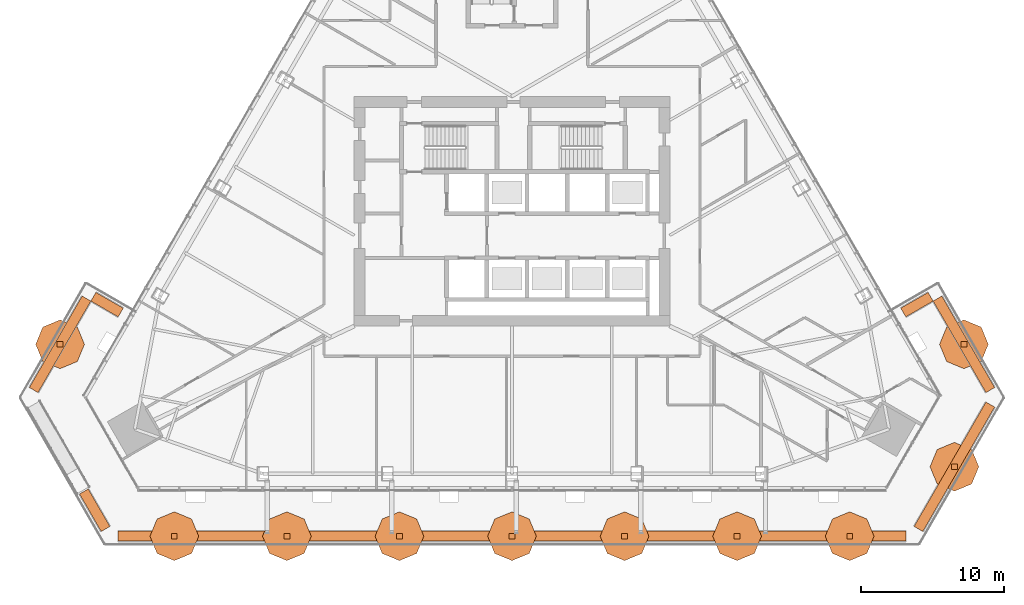
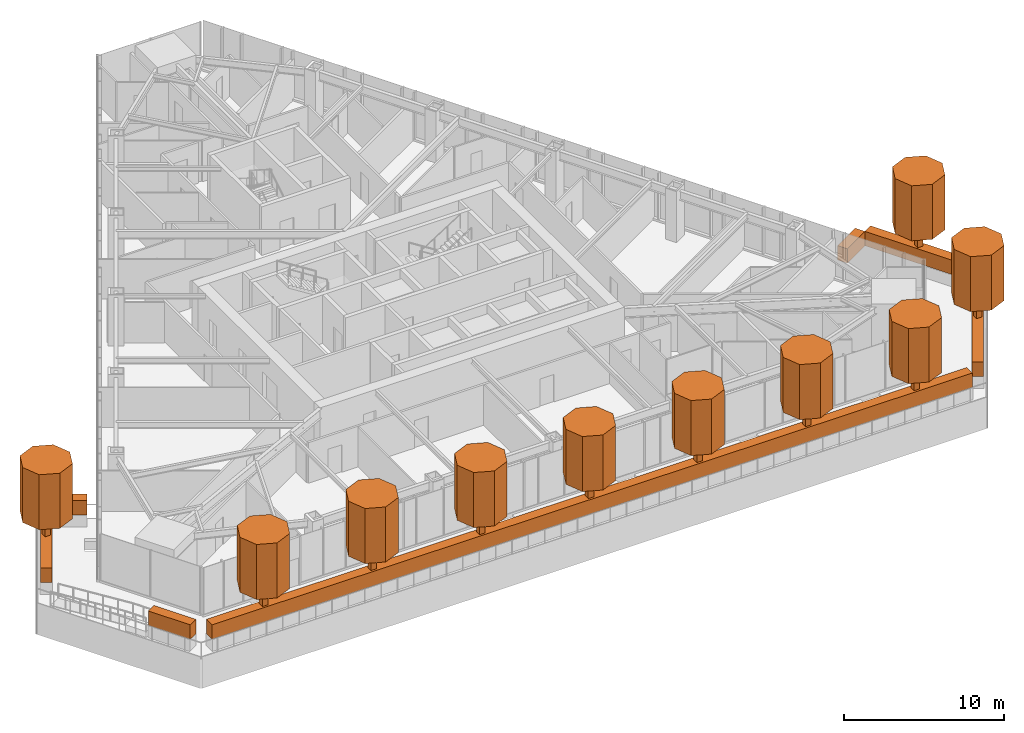
# One storey, part 24 of 24: 27 geographic elements.
"""IFC4 building model written with IfcOpenShell, lengths in metres."""

from ifc_helpers import new_model, si_unit, direction, frame, origin, origin_2d, place, context, subcontext, project, spatial, polyline, rectangle, outline, extrude, material, type_object, element, save


model = new_model("IFC4")

# Units and contexts
model_context = context("Model", 3, precision=1e-05, world=origin(), true_north=direction((0.0, 1.0)))
body_context = subcontext(model_context, "Body", "Model", "MODEL_VIEW")
ifc_project = project(units=[si_unit("LENGTHUNIT", "METRE"), si_unit("AREAUNIT", "SQUARE_METRE"), si_unit("VOLUMEUNIT", "CUBIC_METRE"), si_unit("PLANEANGLEUNIT", "RADIAN"), si_unit("MASSUNIT", "GRAM", prefix="KILO")], contexts=[model_context])

# Site, building, storey
site_placement = place(None, origin())
site = spatial("IfcSite", under=ifc_project, at=site_placement, CompositionType="ELEMENT")
building_placement = place(site_placement, origin())
building = spatial("IfcBuilding", under=site, at=building_placement, Name="Firuza Gate Tower and Library", CompositionType="ELEMENT")
storey_placement = place(building_placement, frame((0.0, 0.0, 194.800048828125)))
storey = spatial("IfcBuildingStorey", under=building, at=storey_placement, Name="L45", CompositionType="ELEMENT", Elevation=194.800048828125)

# Geographic elements
ifc_material_1 = material(Name="Foliage")
geographic_element_type_1 = type_object("IfcGeographicElementType", Name="Planted hedge", PredefinedType="USERDEFINED", material=ifc_material_1)
geographic_element_1_placement = place(storey_placement, frame((46.763671875, 68.49560546875, 0.89990234375), z_axis=(0.0, 0.0, 1.0), x_axis=(-0.866025403784, 0.5, 0.0)))
element("IfcGeographicElement", 1, at=geographic_element_1_placement, inside=storey, type_object=geographic_element_type_1, Name="Planted hedge", ObjectType="HEDGE", PredefinedType="USERDEFINED", context=body_context, shape_type="SweptSolid", body=[
    extrude(rectangle(XDim=2.199951171875, YDim=0.699951171875, at=origin_2d()), origin(), (0.0, 0.0, 1.0), 1.10009765625),
])
geographic_element_2_placement = place(storey_placement, frame((43.491455078125, 65.72802734375, 0.89990234375), z_axis=(0.0, 0.0, 1.0), x_axis=(-0.5, -0.866025403784, 0.0)))
element("IfcGeographicElement", 2, at=geographic_element_2_placement, inside=storey, type_object=geographic_element_type_1, Name="Planted hedge", ObjectType="HEDGE", PredefinedType="USERDEFINED", context=body_context, shape_type="SweptSolid", body=[
    extrude(rectangle(XDim=7.36572265625, YDim=0.699951171875, at=origin_2d()), origin(), (0.0, 0.0, 1.0), 1.10009765625),
])
geographic_element_3_placement = place(storey_placement, frame((45.90478515625, 54.160400390625, 0.89990234375), z_axis=(0.0, 0.0, 1.0), x_axis=(0.5, -0.866025403784, 0.0)))
element("IfcGeographicElement", 3, at=geographic_element_3_placement, inside=storey, type_object=geographic_element_type_1, Name="Planted hedge", ObjectType="HEDGE", PredefinedType="USERDEFINED", context=body_context, shape_type="SweptSolid", body=[
    extrude(rectangle(XDim=3.018798828125, YDim=0.699951171875, at=origin_2d()), origin(), (0.0, 0.0, 1.0), 1.10009765625),
])
placement_1 = place(storey_placement, frame((75.0, 52.348876953125, 0.89990234375), z_axis=(0.0, 0.0, 1.0), x_axis=(1.0, 0.0, 0.0)))
element("IfcGeographicElement", 4, at=placement_1, inside=storey, type_object=geographic_element_type_1, Name="Planted hedge", ObjectType="HEDGE", PredefinedType="USERDEFINED", context=body_context, shape_type="SweptSolid", body=[
    extrude(rectangle(XDim=54.93359375, YDim=0.699951171875, at=origin_2d()), origin(), (0.0, 0.0, 1.0), 1.10009765625),
])
geographic_element_5_placement = place(storey_placement, frame((105.84521484375, 57.191650390625, 0.89990234375), z_axis=(0.0, 0.0, 1.0), x_axis=(0.5, 0.866025403784, 0.0)))
element("IfcGeographicElement", 5, at=geographic_element_5_placement, inside=storey, type_object=geographic_element_type_1, Name="Planted hedge", ObjectType="HEDGE", PredefinedType="USERDEFINED", context=body_context, shape_type="SweptSolid", body=[
    extrude(rectangle(XDim=10.018798828125, YDim=0.699951171875, at=origin_2d()), origin(), (0.0, 0.0, 1.0), 1.10009765625),
])
geographic_element_6_placement = place(storey_placement, frame((106.508544921875, 65.72802734375, 0.89990234375), z_axis=(0.0, 0.0, 1.0), x_axis=(-0.5, 0.866025403784, 0.0)))
element("IfcGeographicElement", 6, at=geographic_element_6_placement, inside=storey, type_object=geographic_element_type_1, Name="Planted hedge", ObjectType="HEDGE", PredefinedType="USERDEFINED", context=body_context, shape_type="SweptSolid", body=[
    extrude(rectangle(XDim=7.36572265625, YDim=0.699951171875, at=origin_2d()), origin(), (0.0, 0.0, 1.0), 1.10009765625),
])
geographic_element_7_placement = place(storey_placement, frame((103.236328125, 68.49560546875, 0.89990234375), z_axis=(0.0, 0.0, 1.0), x_axis=(-0.866025403784, -0.5, 0.0)))
element("IfcGeographicElement", 7, at=geographic_element_7_placement, inside=storey, type_object=geographic_element_type_1, Name="Planted hedge", ObjectType="HEDGE", PredefinedType="USERDEFINED", context=body_context, shape_type="SweptSolid", body=[
    extrude(rectangle(XDim=2.199951171875, YDim=0.699951171875, at=origin_2d()), origin(), (0.0, 0.0, 1.0), 1.10009765625),
])
ifc_material_2 = material(Name="Foliage")
geographic_element_type_2 = type_object("IfcGeographicElementType", Name="Planted tree canopy", PredefinedType="USERDEFINED", material=ifc_material_2)
placement_2 = place(storey_placement, frame((0.0, 0.0, 3.5)))
element("IfcGeographicElement", 8, at=placement_2, inside=storey, type_object=geographic_element_type_2, Name="Tree canopy", ObjectType="TREE CANOPY", PredefinedType="USERDEFINED", context=body_context, shape_type="SweptSolid", body=[
    extrude(outline(polyline([(45.191650390625, 65.72802734375), (44.693603515625, 66.93017578125), (43.491455078125, 67.427978515625), (42.28955078125, 66.93017578125), (41.79150390625, 65.72802734375), (42.28955078125, 64.52587890625), (43.491455078125, 64.028076171875), (44.693603515625, 64.52587890625), (45.191650390625, 65.72802734375)])), origin(), (0.0, 0.0, 1.0), 4.199951171875),
])
element("IfcGeographicElement", 9, at=placement_2, inside=storey, type_object=geographic_element_type_2, Name="Tree canopy", ObjectType="TREE CANOPY", PredefinedType="USERDEFINED", context=body_context, shape_type="SweptSolid", body=[
    extrude(outline(polyline([(53.156982421875, 52.348876953125), (52.6591796875, 53.551025390625), (51.45703125, 54.048828125), (50.2548828125, 53.551025390625), (49.757080078125, 52.348876953125), (50.2548828125, 51.146728515625), (51.45703125, 50.64892578125), (52.6591796875, 51.146728515625), (53.156982421875, 52.348876953125)])), origin(), (0.0, 0.0, 1.0), 4.199951171875),
])
element("IfcGeographicElement", 10, at=placement_2, inside=storey, type_object=geographic_element_type_2, Name="Tree canopy", ObjectType="TREE CANOPY", PredefinedType="USERDEFINED", context=body_context, shape_type="SweptSolid", body=[
    extrude(outline(polyline([(61.004638671875, 52.348876953125), (60.5068359375, 53.551025390625), (59.3046875, 54.048828125), (58.1025390625, 53.551025390625), (57.604736328125, 52.348876953125), (58.1025390625, 51.146728515625), (59.3046875, 50.64892578125), (60.5068359375, 51.146728515625), (61.004638671875, 52.348876953125)])), origin(), (0.0, 0.0, 1.0), 4.199951171875),
])
element("IfcGeographicElement", 11, at=placement_2, inside=storey, type_object=geographic_element_type_2, Name="Tree canopy", ObjectType="TREE CANOPY", PredefinedType="USERDEFINED", context=body_context, shape_type="SweptSolid", body=[
    extrude(outline(polyline([(68.852294921875, 52.348876953125), (68.3544921875, 53.551025390625), (67.15234375, 54.048828125), (65.9501953125, 53.551025390625), (65.452392578125, 52.348876953125), (65.9501953125, 51.146728515625), (67.15234375, 50.64892578125), (68.3544921875, 51.146728515625), (68.852294921875, 52.348876953125)])), origin(), (0.0, 0.0, 1.0), 4.199951171875),
])
element("IfcGeographicElement", 12, at=placement_2, inside=storey, type_object=geographic_element_type_2, Name="Tree canopy", ObjectType="TREE CANOPY", PredefinedType="USERDEFINED", context=body_context, shape_type="SweptSolid", body=[
    extrude(outline(polyline([(76.699951171875, 52.348876953125), (76.2021484375, 53.551025390625), (75.0, 54.048828125), (73.7978515625, 53.551025390625), (73.300048828125, 52.348876953125), (73.7978515625, 51.146728515625), (75.0, 50.64892578125), (76.2021484375, 51.146728515625), (76.699951171875, 52.348876953125)])), origin(), (0.0, 0.0, 1.0), 4.199951171875),
])
element("IfcGeographicElement", 13, at=placement_2, inside=storey, type_object=geographic_element_type_2, Name="Tree canopy", ObjectType="TREE CANOPY", PredefinedType="USERDEFINED", context=body_context, shape_type="SweptSolid", body=[
    extrude(outline(polyline([(84.547607421875, 52.348876953125), (84.0498046875, 53.551025390625), (82.84765625, 54.048828125), (81.6455078125, 53.551025390625), (81.147705078125, 52.348876953125), (81.6455078125, 51.146728515625), (82.84765625, 50.64892578125), (84.0498046875, 51.146728515625), (84.547607421875, 52.348876953125)])), origin(), (0.0, 0.0, 1.0), 4.199951171875),
])
element("IfcGeographicElement", 14, at=placement_2, inside=storey, type_object=geographic_element_type_2, Name="Tree canopy", ObjectType="TREE CANOPY", PredefinedType="USERDEFINED", context=body_context, shape_type="SweptSolid", body=[
    extrude(outline(polyline([(92.395263671875, 52.348876953125), (91.8974609375, 53.551025390625), (90.6953125, 54.048828125), (89.4931640625, 53.551025390625), (88.995361328125, 52.348876953125), (89.4931640625, 51.146728515625), (90.6953125, 50.64892578125), (91.8974609375, 51.146728515625), (92.395263671875, 52.348876953125)])), origin(), (0.0, 0.0, 1.0), 4.199951171875),
])
element("IfcGeographicElement", 15, at=placement_2, inside=storey, type_object=geographic_element_type_2, Name="Tree canopy", ObjectType="TREE CANOPY", PredefinedType="USERDEFINED", context=body_context, shape_type="SweptSolid", body=[
    extrude(outline(polyline([(100.242919921875, 52.348876953125), (99.7451171875, 53.551025390625), (98.54296875, 54.048828125), (97.3408203125, 53.551025390625), (96.843017578125, 52.348876953125), (97.3408203125, 51.146728515625), (98.54296875, 50.64892578125), (99.7451171875, 51.146728515625), (100.242919921875, 52.348876953125)])), origin(), (0.0, 0.0, 1.0), 4.199951171875),
])
element("IfcGeographicElement", 16, at=placement_2, inside=storey, type_object=geographic_element_type_2, Name="Tree canopy", ObjectType="TREE CANOPY", PredefinedType="USERDEFINED", context=body_context, shape_type="SweptSolid", body=[
    extrude(outline(polyline([(107.545166015625, 57.191650390625), (107.047119140625, 58.3935546875), (105.84521484375, 58.8916015625), (104.64306640625, 58.3935546875), (104.14501953125, 57.191650390625), (104.64306640625, 55.989501953125), (105.84521484375, 55.491455078125), (107.047119140625, 55.989501953125), (107.545166015625, 57.191650390625)])), origin(), (0.0, 0.0, 1.0), 4.199951171875),
])
element("IfcGeographicElement", 17, at=placement_2, inside=storey, type_object=geographic_element_type_2, Name="Tree canopy", ObjectType="TREE CANOPY", PredefinedType="USERDEFINED", context=body_context, shape_type="SweptSolid", body=[
    extrude(outline(polyline([(108.20849609375, 65.72802734375), (107.71044921875, 66.93017578125), (106.508544921875, 67.427978515625), (105.306396484375, 66.93017578125), (104.808349609375, 65.72802734375), (105.306396484375, 64.52587890625), (106.508544921875, 64.028076171875), (107.71044921875, 64.52587890625), (108.20849609375, 65.72802734375)])), origin(), (0.0, 0.0, 1.0), 4.199951171875),
])
ifc_material_3 = material(Name="Timber", Category="wood")
geographic_element_type_3 = type_object("IfcGeographicElementType", Name="Planted tree trunk", PredefinedType="USERDEFINED", material=ifc_material_3)
for number, where, z_axis, x_axis, name in (
    (18, (43.491455078125, 65.72802734375, 0.89990234375), (0.0, 0.0, 1.0), (1.0, 0.0, 0.0), "Tree trunk"),
    (19, (51.45703125, 52.348876953125, 0.89990234375), (0.0, 0.0, 1.0), (1.0, 0.0, 0.0), "Tree trunk"),
    (20, (59.3046875, 52.348876953125, 0.89990234375), (0.0, 0.0, 1.0), (1.0, 0.0, 0.0), "Tree trunk"),
    (21, (67.15234375, 52.348876953125, 0.89990234375), (0.0, 0.0, 1.0), (1.0, 0.0, 0.0), "Tree trunk"),
):
    element("IfcGeographicElement", number, at=place(storey_placement, frame(where, z_axis=z_axis, x_axis=x_axis)), inside=storey, type_object=geographic_element_type_3, Name=name, ObjectType="TREE TRUNK", PredefinedType="USERDEFINED", context=body_context, shape_type="SweptSolid", body=[
        extrude(rectangle(XDim=0.39990234375, YDim=0.39990234375, at=origin_2d()), origin(), (0.0, 0.0, 1.0), 2.60009765625),
    ])
element("IfcGeographicElement", 22, at=placement_1, inside=storey, type_object=geographic_element_type_3, Name="Tree trunk", ObjectType="TREE TRUNK", PredefinedType="USERDEFINED", context=body_context, shape_type="SweptSolid", body=[
    extrude(rectangle(XDim=0.39990234375, YDim=0.39990234375, at=origin_2d()), origin(), (0.0, 0.0, 1.0), 2.60009765625),
])
for number, where, z_axis, x_axis, name in (
    (23, (82.84765625, 52.348876953125, 0.89990234375), (0.0, 0.0, 1.0), (1.0, 0.0, 0.0), "Tree trunk"),
    (24, (90.6953125, 52.348876953125, 0.89990234375), (0.0, 0.0, 1.0), (1.0, 0.0, 0.0), "Tree trunk"),
    (25, (98.54296875, 52.348876953125, 0.89990234375), (0.0, 0.0, 1.0), (1.0, 0.0, 0.0), "Tree trunk"),
    (26, (105.84521484375, 57.191650390625, 0.89990234375), (0.0, 0.0, 1.0), (1.0, 0.0, 0.0), "Tree trunk"),
    (27, (106.508544921875, 65.72802734375, 0.89990234375), (0.0, 0.0, 1.0), (1.0, 0.0, 0.0), "Tree trunk"),
):
    element("IfcGeographicElement", number, at=place(storey_placement, frame(where, z_axis=z_axis, x_axis=x_axis)), inside=storey, type_object=geographic_element_type_3, Name=name, ObjectType="TREE TRUNK", PredefinedType="USERDEFINED", context=body_context, shape_type="SweptSolid", body=[
        extrude(rectangle(XDim=0.39990234375, YDim=0.39990234375, at=origin_2d()), origin(), (0.0, 0.0, 1.0), 2.60009765625),
    ])

save(model, "model.ifc")
